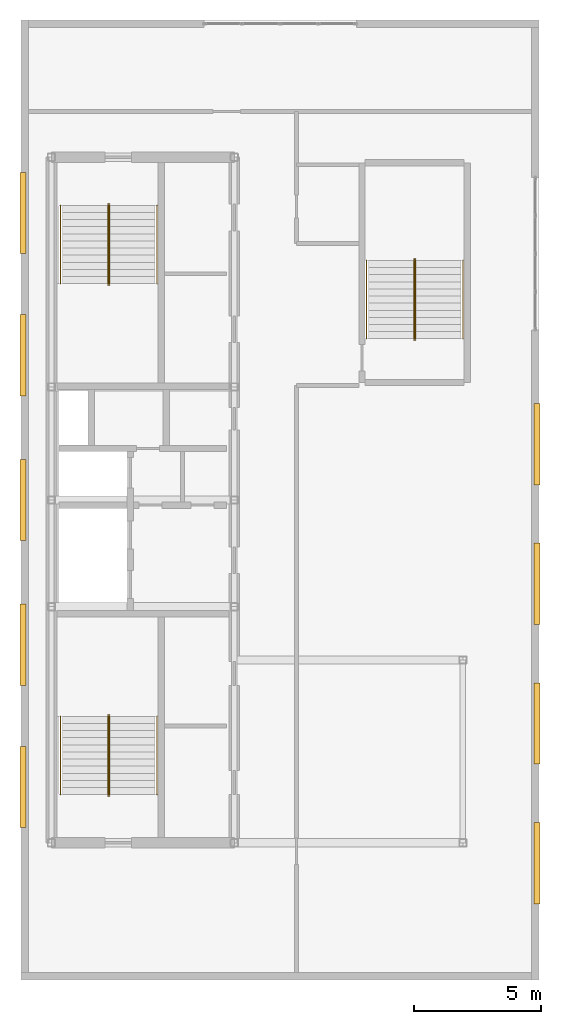
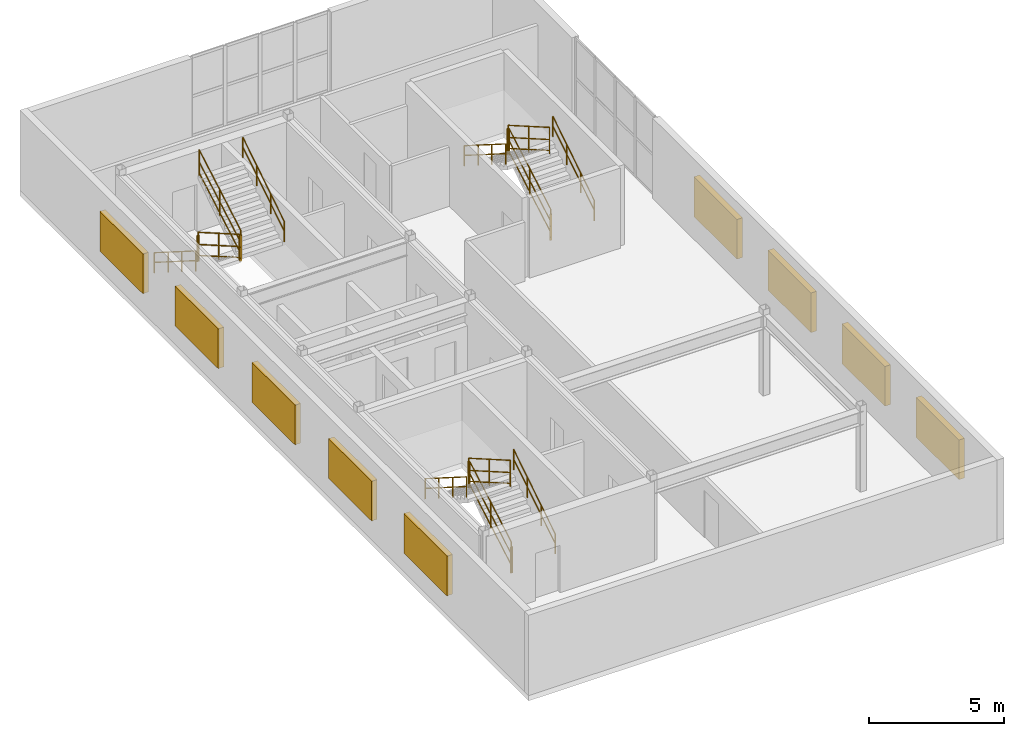
# One storey, part 6 of 6: 18 railings, 9 shading devices.
"""IFC4 building model written with IfcOpenShell, lengths in metres."""

from ifc_helpers import new_model, entity, si_unit, converted_unit, direction, frame, origin_with_axes, origin_2d_with_axis, place, context, subcontext, project, spatial, rectangle, circle, extrude, material, type_object, element, save


model = new_model("IFC4")

# Units and contexts
model_context = context("Model", 3, precision=1e-05, world=origin_with_axes(), true_north=direction((0.0, 1.0)))
body_context = subcontext(model_context, "Body", "Model", "MODEL_VIEW")
ifc_project = project(units=[si_unit("LENGTHUNIT", "METRE"), si_unit("AREAUNIT", "SQUARE_METRE"), si_unit("VOLUMEUNIT", "CUBIC_METRE"), converted_unit("PLANEANGLEUNIT", "DEGREE", entity("IfcPlaneAngleMeasure", 0.017453292519943295), si_unit("PLANEANGLEUNIT", "RADIAN"), dimensions=[0, 0, 0, 0, 0, 0, 0]), si_unit("MASSUNIT", "GRAM", prefix="KILO"), si_unit("THERMODYNAMICTEMPERATUREUNIT", "KELVIN")], contexts=[model_context])

# Site, building, storey
site_placement = place(None, origin_with_axes())
site = spatial("IfcSite", under=ifc_project, at=site_placement, CompositionType="ELEMENT")
building_placement = place(site_placement, origin_with_axes())
building = spatial("IfcBuilding", under=site, at=building_placement, Name="Varnlund Millrace Tower", CompositionType="ELEMENT")
storey_placement = place(building_placement, frame((0.0, 0.0, 324.3), z_axis=(0.0, 0.0, 1.0), x_axis=(1.0, 0.0, 0.0)))
storey = spatial("IfcBuildingStorey", under=building, at=storey_placement, Name="L80", CompositionType="ELEMENT", Elevation=324.3)

# Shading devices
ifc_material_1 = material(Name="Architectural bronze cold-climate intake louvre", Category="aluminium")
shading_device_type = type_object("IfcShadingDeviceType", Name="Type-Shade-CrownLouvre-JAL", PredefinedType="JALOUSIE", material=ifc_material_1)
for number, where, z_axis, x_axis, name in (
    (1, (10.28, 13.0, 0.9), (0.0, 0.0, 1.0), (0.0, 1.0, 0.0), "Type-Shade-CrownLouvre-JAL"),
    (2, (10.28, 18.6, 0.9), (0.0, 0.0, 1.0), (0.0, 1.0, 0.0), "Type-Shade-CrownLouvre-JAL"),
    (3, (10.28, 24.3, 0.9), (0.0, 0.0, 1.0), (0.0, 1.0, 0.0), "Type-Shade-CrownLouvre-JAL"),
    (4, (10.28, 30.0, 0.9), (0.0, 0.0, 1.0), (0.0, 1.0, 0.0), "Type-Shade-CrownLouvre-JAL"),
    (5, (10.28, 35.6, 0.9), (0.0, 0.0, 1.0), (0.0, 1.0, 0.0), "Type-Shade-CrownLouvre-JAL"),
    (6, (30.52, 10.0, 0.9), (0.0, 0.0, 1.0), (0.0, 1.0, 0.0), "Type-Shade-CrownLouvre-JAL"),
    (7, (30.52, 15.5, 0.9), (0.0, 0.0, 1.0), (0.0, 1.0, 0.0), "Type-Shade-CrownLouvre-JAL"),
    (8, (30.52, 21.0, 0.9), (0.0, 0.0, 1.0), (0.0, 1.0, 0.0), "Type-Shade-CrownLouvre-JAL"),
    (9, (30.52, 26.5, 0.9), (0.0, 0.0, 1.0), (0.0, 1.0, 0.0), "Type-Shade-CrownLouvre-JAL"),
):
    element("IfcShadingDevice", number, at=place(storey_placement, frame(where, z_axis=z_axis, x_axis=x_axis)), inside=storey, type_object=shading_device_type, Name=name, PredefinedType="JALOUSIE", context=body_context, shape_type="SweptSolid", body=[
        extrude(rectangle(XDim=3.2, YDim=0.24, at=origin_2d_with_axis()), origin_with_axes(), (0.0, 0.0, 1.0), 1.8),
    ])

# Railings
ifc_material_2 = material(Name="Painted steel stair well balustrade guard", Category="steel")
railing_type_1 = type_object("IfcRailingType", Name="Type-StairGuard-1150", PredefinedType="GUARDRAIL", material=ifc_material_2)
railing_1_placement = place(storey_placement, frame((0.0, 0.0, -324.3), z_axis=(0.0, 0.0, 1.0), x_axis=(1.0, 0.0, 0.0)))
element("IfcRailing", 10, at=railing_1_placement, inside=storey, type_object=railing_type_1, Name="Type-StairGuard-1150", PredefinedType="GUARDRAIL", context=body_context, shape_type="SweptSolid", body=[
    extrude(circle(Radius=0.024, at=origin_2d_with_axis()), frame((13.675, 12.7, 325.627273), z_axis=(0.0, 0.866696, 0.498836), x_axis=(-1.0, 0.0, 0.0)), (0.0, 0.0, 1.0), 3.553725),
    extrude(circle(Radius=0.024, at=origin_2d_with_axis()), frame((13.675, 12.7, 324.577273), z_axis=(0.0, 0.866696, 0.498836), x_axis=(-1.0, 0.0, 0.0)), (0.0, 0.0, 1.0), 3.553725),
    extrude(circle(Radius=0.024, at=origin_2d_with_axis()), frame((13.675, 12.7, 325.075273), z_axis=(0.0, 0.866696, 0.498836), x_axis=(-1.0, 0.0, 0.0)), (0.0, 0.0, 1.0), 3.553725),
    extrude(rectangle(XDim=0.04, YDim=0.04, at=origin_2d_with_axis()), frame((13.675, 12.7, 324.437273), z_axis=(0.0, 0.0, 1.0), x_axis=(1.0, 0.0, 0.0)), (0.0, 0.0, 1.0), 1.19),
    extrude(rectangle(XDim=0.04, YDim=0.04, at=origin_2d_with_axis()), frame((13.675, 14.24, 325.323636), z_axis=(0.0, 0.0, 1.0), x_axis=(1.0, 0.0, 0.0)), (0.0, 0.0, 1.0), 1.19),
    extrude(rectangle(XDim=0.04, YDim=0.04, at=origin_2d_with_axis()), frame((13.675, 15.78, 326.21), z_axis=(0.0, 0.0, 1.0), x_axis=(1.0, 0.0, 0.0)), (0.0, 0.0, 1.0), 1.19),
])
railing_2_placement = place(storey_placement, frame((0.0, 0.0, -324.3), z_axis=(0.0, 0.0, 1.0), x_axis=(1.0, 0.0, 0.0)))
element("IfcRailing", 11, at=railing_2_placement, inside=storey, type_object=railing_type_1, Name="Type-StairGuard-1150", PredefinedType="GUARDRAIL", context=body_context, shape_type="SweptSolid", body=[
    extrude(circle(Radius=0.024, at=origin_2d_with_axis()), frame((13.625, 15.83, 327.4), z_axis=(1.0, 0.0, 0.0), x_axis=(0.0, 1.0, 0.0)), (0.0, 0.0, 1.0), 0.05),
    extrude(circle(Radius=0.024, at=origin_2d_with_axis()), frame((13.625, 15.83, 326.35), z_axis=(1.0, 0.0, 0.0), x_axis=(0.0, 1.0, 0.0)), (0.0, 0.0, 1.0), 0.05),
    extrude(circle(Radius=0.024, at=origin_2d_with_axis()), frame((13.625, 15.83, 326.848), z_axis=(1.0, 0.0, 0.0), x_axis=(0.0, 1.0, 0.0)), (0.0, 0.0, 1.0), 0.05),
    extrude(rectangle(XDim=0.04, YDim=0.04, at=origin_2d_with_axis()), frame((13.625, 15.83, 326.21), z_axis=(0.0, 0.0, 1.0), x_axis=(1.0, 0.0, 0.0)), (0.0, 0.0, 1.0), 1.19),
    extrude(rectangle(XDim=0.04, YDim=0.04, at=origin_2d_with_axis()), frame((13.675, 15.83, 326.21), z_axis=(0.0, 0.0, 1.0), x_axis=(1.0, 0.0, 0.0)), (0.0, 0.0, 1.0), 1.19),
])
railing_3_placement = place(storey_placement, frame((0.0, 0.0, -324.3), z_axis=(0.0, 0.0, 1.0), x_axis=(1.0, 0.0, 0.0)))
element("IfcRailing", 12, at=railing_3_placement, inside=storey, type_object=railing_type_1, Name="Type-StairGuard-1150", PredefinedType="GUARDRAIL", context=body_context, shape_type="SweptSolid", body=[
    extrude(circle(Radius=0.024, at=origin_2d_with_axis()), frame((13.625, 15.78, 327.577273), z_axis=(0.0, -0.866696, 0.498836), x_axis=(1.0, 0.0, 0.0)), (0.0, 0.0, 1.0), 3.553725),
    extrude(circle(Radius=0.024, at=origin_2d_with_axis()), frame((13.625, 15.78, 326.527273), z_axis=(0.0, -0.866696, 0.498836), x_axis=(1.0, 0.0, 0.0)), (0.0, 0.0, 1.0), 3.553725),
    extrude(circle(Radius=0.024, at=origin_2d_with_axis()), frame((13.625, 15.78, 327.025273), z_axis=(0.0, -0.866696, 0.498836), x_axis=(1.0, 0.0, 0.0)), (0.0, 0.0, 1.0), 3.553725),
    extrude(rectangle(XDim=0.04, YDim=0.04, at=origin_2d_with_axis()), frame((13.625, 15.78, 326.387273), z_axis=(0.0, 0.0, 1.0), x_axis=(1.0, 0.0, 0.0)), (0.0, 0.0, 1.0), 1.19),
    extrude(rectangle(XDim=0.04, YDim=0.04, at=origin_2d_with_axis()), frame((13.625, 14.24, 327.273636), z_axis=(0.0, 0.0, 1.0), x_axis=(1.0, 0.0, 0.0)), (0.0, 0.0, 1.0), 1.19),
    extrude(rectangle(XDim=0.04, YDim=0.04, at=origin_2d_with_axis()), frame((13.625, 12.7, 328.16), z_axis=(0.0, 0.0, 1.0), x_axis=(1.0, 0.0, 0.0)), (0.0, 0.0, 1.0), 1.19),
])
railing_4_placement = place(storey_placement, frame((0.0, 0.0, -324.3), z_axis=(0.0, 0.0, 1.0), x_axis=(1.0, 0.0, 0.0)))
element("IfcRailing", 13, at=railing_4_placement, inside=storey, type_object=railing_type_1, Name="Type-StairGuard-1150", PredefinedType="GUARDRAIL", context=body_context, shape_type="SweptSolid", body=[
    extrude(circle(Radius=0.024, at=origin_2d_with_axis()), frame((13.625, 12.65, 325.45), z_axis=(1.0, 0.0, 0.0), x_axis=(0.0, 1.0, 0.0)), (0.0, 0.0, 1.0), 0.05),
    extrude(circle(Radius=0.024, at=origin_2d_with_axis()), frame((13.625, 12.65, 324.4), z_axis=(1.0, 0.0, 0.0), x_axis=(0.0, 1.0, 0.0)), (0.0, 0.0, 1.0), 0.05),
    extrude(circle(Radius=0.024, at=origin_2d_with_axis()), frame((13.625, 12.65, 324.898), z_axis=(1.0, 0.0, 0.0), x_axis=(0.0, 1.0, 0.0)), (0.0, 0.0, 1.0), 0.05),
    extrude(rectangle(XDim=0.04, YDim=0.04, at=origin_2d_with_axis()), frame((13.625, 12.65, 324.26), z_axis=(0.0, 0.0, 1.0), x_axis=(1.0, 0.0, 0.0)), (0.0, 0.0, 1.0), 1.19),
    extrude(rectangle(XDim=0.04, YDim=0.04, at=origin_2d_with_axis()), frame((13.675, 12.65, 324.26), z_axis=(0.0, 0.0, 1.0), x_axis=(1.0, 0.0, 0.0)), (0.0, 0.0, 1.0), 1.19),
])
railing_5_placement = place(storey_placement, frame((0.0, 0.0, -324.3), z_axis=(0.0, 0.0, 1.0), x_axis=(1.0, 0.0, 0.0)))
element("IfcRailing", 14, at=railing_5_placement, inside=storey, type_object=railing_type_1, Name="Type-StairGuard-1150", PredefinedType="GUARDRAIL", context=body_context, shape_type="SweptSolid", body=[
    extrude(circle(Radius=0.024, at=origin_2d_with_axis()), frame((13.625, 35.9, 325.627273), z_axis=(0.0, -0.866696, 0.498836), x_axis=(1.0, 0.0, 0.0)), (0.0, 0.0, 1.0), 3.553725),
    extrude(circle(Radius=0.024, at=origin_2d_with_axis()), frame((13.625, 35.9, 324.577273), z_axis=(0.0, -0.866696, 0.498836), x_axis=(1.0, 0.0, 0.0)), (0.0, 0.0, 1.0), 3.553725),
    extrude(circle(Radius=0.024, at=origin_2d_with_axis()), frame((13.625, 35.9, 325.075273), z_axis=(0.0, -0.866696, 0.498836), x_axis=(1.0, 0.0, 0.0)), (0.0, 0.0, 1.0), 3.553725),
    extrude(rectangle(XDim=0.04, YDim=0.04, at=origin_2d_with_axis()), frame((13.625, 35.9, 324.437273), z_axis=(0.0, 0.0, 1.0), x_axis=(1.0, 0.0, 0.0)), (0.0, 0.0, 1.0), 1.19),
    extrude(rectangle(XDim=0.04, YDim=0.04, at=origin_2d_with_axis()), frame((13.625, 34.36, 325.323636), z_axis=(0.0, 0.0, 1.0), x_axis=(1.0, 0.0, 0.0)), (0.0, 0.0, 1.0), 1.19),
    extrude(rectangle(XDim=0.04, YDim=0.04, at=origin_2d_with_axis()), frame((13.625, 32.82, 326.21), z_axis=(0.0, 0.0, 1.0), x_axis=(1.0, 0.0, 0.0)), (0.0, 0.0, 1.0), 1.19),
])
railing_6_placement = place(storey_placement, frame((0.0, 0.0, -324.3), z_axis=(0.0, 0.0, 1.0), x_axis=(1.0, 0.0, 0.0)))
element("IfcRailing", 15, at=railing_6_placement, inside=storey, type_object=railing_type_1, Name="Type-StairGuard-1150", PredefinedType="GUARDRAIL", context=body_context, shape_type="SweptSolid", body=[
    extrude(circle(Radius=0.024, at=origin_2d_with_axis()), frame((13.675, 32.77, 327.4), z_axis=(-1.0, 0.0, 0.0), x_axis=(0.0, -1.0, 0.0)), (0.0, 0.0, 1.0), 0.05),
    extrude(circle(Radius=0.024, at=origin_2d_with_axis()), frame((13.675, 32.77, 326.35), z_axis=(-1.0, 0.0, 0.0), x_axis=(0.0, -1.0, 0.0)), (0.0, 0.0, 1.0), 0.05),
    extrude(circle(Radius=0.024, at=origin_2d_with_axis()), frame((13.675, 32.77, 326.848), z_axis=(-1.0, 0.0, 0.0), x_axis=(0.0, -1.0, 0.0)), (0.0, 0.0, 1.0), 0.05),
    extrude(rectangle(XDim=0.04, YDim=0.04, at=origin_2d_with_axis()), frame((13.675, 32.77, 326.21), z_axis=(0.0, 0.0, 1.0), x_axis=(1.0, 0.0, 0.0)), (0.0, 0.0, 1.0), 1.19),
    extrude(rectangle(XDim=0.04, YDim=0.04, at=origin_2d_with_axis()), frame((13.625, 32.77, 326.21), z_axis=(0.0, 0.0, 1.0), x_axis=(1.0, 0.0, 0.0)), (0.0, 0.0, 1.0), 1.19),
])
railing_7_placement = place(storey_placement, frame((0.0, 0.0, -324.3), z_axis=(0.0, 0.0, 1.0), x_axis=(1.0, 0.0, 0.0)))
element("IfcRailing", 16, at=railing_7_placement, inside=storey, type_object=railing_type_1, Name="Type-StairGuard-1150", PredefinedType="GUARDRAIL", context=body_context, shape_type="SweptSolid", body=[
    extrude(circle(Radius=0.024, at=origin_2d_with_axis()), frame((13.675, 32.82, 327.577273), z_axis=(0.0, 0.866696, 0.498836), x_axis=(-1.0, 0.0, 0.0)), (0.0, 0.0, 1.0), 3.553725),
    extrude(circle(Radius=0.024, at=origin_2d_with_axis()), frame((13.675, 32.82, 326.527273), z_axis=(0.0, 0.866696, 0.498836), x_axis=(-1.0, 0.0, 0.0)), (0.0, 0.0, 1.0), 3.553725),
    extrude(circle(Radius=0.024, at=origin_2d_with_axis()), frame((13.675, 32.82, 327.025273), z_axis=(0.0, 0.866696, 0.498836), x_axis=(-1.0, 0.0, 0.0)), (0.0, 0.0, 1.0), 3.553725),
    extrude(rectangle(XDim=0.04, YDim=0.04, at=origin_2d_with_axis()), frame((13.675, 32.82, 326.387273), z_axis=(0.0, 0.0, 1.0), x_axis=(1.0, 0.0, 0.0)), (0.0, 0.0, 1.0), 1.19),
    extrude(rectangle(XDim=0.04, YDim=0.04, at=origin_2d_with_axis()), frame((13.675, 34.36, 327.273636), z_axis=(0.0, 0.0, 1.0), x_axis=(1.0, 0.0, 0.0)), (0.0, 0.0, 1.0), 1.19),
    extrude(rectangle(XDim=0.04, YDim=0.04, at=origin_2d_with_axis()), frame((13.675, 35.9, 328.16), z_axis=(0.0, 0.0, 1.0), x_axis=(1.0, 0.0, 0.0)), (0.0, 0.0, 1.0), 1.19),
])
railing_8_placement = place(storey_placement, frame((0.0, 0.0, -324.3), z_axis=(0.0, 0.0, 1.0), x_axis=(1.0, 0.0, 0.0)))
element("IfcRailing", 17, at=railing_8_placement, inside=storey, type_object=railing_type_1, Name="Type-StairGuard-1150", PredefinedType="GUARDRAIL", context=body_context, shape_type="SweptSolid", body=[
    extrude(circle(Radius=0.024, at=origin_2d_with_axis()), frame((13.675, 35.95, 325.45), z_axis=(-1.0, 0.0, 0.0), x_axis=(0.0, -1.0, 0.0)), (0.0, 0.0, 1.0), 0.05),
    extrude(circle(Radius=0.024, at=origin_2d_with_axis()), frame((13.675, 35.95, 324.4), z_axis=(-1.0, 0.0, 0.0), x_axis=(0.0, -1.0, 0.0)), (0.0, 0.0, 1.0), 0.05),
    extrude(circle(Radius=0.024, at=origin_2d_with_axis()), frame((13.675, 35.95, 324.898), z_axis=(-1.0, 0.0, 0.0), x_axis=(0.0, -1.0, 0.0)), (0.0, 0.0, 1.0), 0.05),
    extrude(rectangle(XDim=0.04, YDim=0.04, at=origin_2d_with_axis()), frame((13.675, 35.95, 324.26), z_axis=(0.0, 0.0, 1.0), x_axis=(1.0, 0.0, 0.0)), (0.0, 0.0, 1.0), 1.19),
    extrude(rectangle(XDim=0.04, YDim=0.04, at=origin_2d_with_axis()), frame((13.625, 35.95, 324.26), z_axis=(0.0, 0.0, 1.0), x_axis=(1.0, 0.0, 0.0)), (0.0, 0.0, 1.0), 1.19),
])
railing_9_placement = place(storey_placement, frame((0.0, 0.0, -324.3), z_axis=(0.0, 0.0, 1.0), x_axis=(1.0, 0.0, 0.0)))
element("IfcRailing", 18, at=railing_9_placement, inside=storey, type_object=railing_type_1, Name="Type-StairGuard-1150", PredefinedType="GUARDRAIL", context=body_context, shape_type="SweptSolid", body=[
    extrude(circle(Radius=0.024, at=origin_2d_with_axis()), frame((25.725, 30.65, 325.627273), z_axis=(0.0, 0.866696, 0.498836), x_axis=(-1.0, 0.0, 0.0)), (0.0, 0.0, 1.0), 3.553725),
    extrude(circle(Radius=0.024, at=origin_2d_with_axis()), frame((25.725, 30.65, 324.577273), z_axis=(0.0, 0.866696, 0.498836), x_axis=(-1.0, 0.0, 0.0)), (0.0, 0.0, 1.0), 3.553725),
    extrude(circle(Radius=0.024, at=origin_2d_with_axis()), frame((25.725, 30.65, 325.075273), z_axis=(0.0, 0.866696, 0.498836), x_axis=(-1.0, 0.0, 0.0)), (0.0, 0.0, 1.0), 3.553725),
    extrude(rectangle(XDim=0.04, YDim=0.04, at=origin_2d_with_axis()), frame((25.725, 30.65, 324.437273), z_axis=(0.0, 0.0, 1.0), x_axis=(1.0, 0.0, 0.0)), (0.0, 0.0, 1.0), 1.19),
    extrude(rectangle(XDim=0.04, YDim=0.04, at=origin_2d_with_axis()), frame((25.725, 32.19, 325.323636), z_axis=(0.0, 0.0, 1.0), x_axis=(1.0, 0.0, 0.0)), (0.0, 0.0, 1.0), 1.19),
    extrude(rectangle(XDim=0.04, YDim=0.04, at=origin_2d_with_axis()), frame((25.725, 33.73, 326.21), z_axis=(0.0, 0.0, 1.0), x_axis=(1.0, 0.0, 0.0)), (0.0, 0.0, 1.0), 1.19),
])
railing_10_placement = place(storey_placement, frame((0.0, 0.0, -324.3), z_axis=(0.0, 0.0, 1.0), x_axis=(1.0, 0.0, 0.0)))
element("IfcRailing", 19, at=railing_10_placement, inside=storey, type_object=railing_type_1, Name="Type-StairGuard-1150", PredefinedType="GUARDRAIL", context=body_context, shape_type="SweptSolid", body=[
    extrude(circle(Radius=0.024, at=origin_2d_with_axis()), frame((25.675, 33.78, 327.4), z_axis=(1.0, 0.0, 0.0), x_axis=(0.0, 1.0, 0.0)), (0.0, 0.0, 1.0), 0.05),
    extrude(circle(Radius=0.024, at=origin_2d_with_axis()), frame((25.675, 33.78, 326.35), z_axis=(1.0, 0.0, 0.0), x_axis=(0.0, 1.0, 0.0)), (0.0, 0.0, 1.0), 0.05),
    extrude(circle(Radius=0.024, at=origin_2d_with_axis()), frame((25.675, 33.78, 326.848), z_axis=(1.0, 0.0, 0.0), x_axis=(0.0, 1.0, 0.0)), (0.0, 0.0, 1.0), 0.05),
    extrude(rectangle(XDim=0.04, YDim=0.04, at=origin_2d_with_axis()), frame((25.675, 33.78, 326.21), z_axis=(0.0, 0.0, 1.0), x_axis=(1.0, 0.0, 0.0)), (0.0, 0.0, 1.0), 1.19),
    extrude(rectangle(XDim=0.04, YDim=0.04, at=origin_2d_with_axis()), frame((25.725, 33.78, 326.21), z_axis=(0.0, 0.0, 1.0), x_axis=(1.0, 0.0, 0.0)), (0.0, 0.0, 1.0), 1.19),
])
railing_11_placement = place(storey_placement, frame((0.0, 0.0, -324.3), z_axis=(0.0, 0.0, 1.0), x_axis=(1.0, 0.0, 0.0)))
element("IfcRailing", 20, at=railing_11_placement, inside=storey, type_object=railing_type_1, Name="Type-StairGuard-1150", PredefinedType="GUARDRAIL", context=body_context, shape_type="SweptSolid", body=[
    extrude(circle(Radius=0.024, at=origin_2d_with_axis()), frame((25.675, 33.73, 327.577273), z_axis=(0.0, -0.866696, 0.498836), x_axis=(1.0, 0.0, 0.0)), (0.0, 0.0, 1.0), 3.553725),
    extrude(circle(Radius=0.024, at=origin_2d_with_axis()), frame((25.675, 33.73, 326.527273), z_axis=(0.0, -0.866696, 0.498836), x_axis=(1.0, 0.0, 0.0)), (0.0, 0.0, 1.0), 3.553725),
    extrude(circle(Radius=0.024, at=origin_2d_with_axis()), frame((25.675, 33.73, 327.025273), z_axis=(0.0, -0.866696, 0.498836), x_axis=(1.0, 0.0, 0.0)), (0.0, 0.0, 1.0), 3.553725),
    extrude(rectangle(XDim=0.04, YDim=0.04, at=origin_2d_with_axis()), frame((25.675, 33.73, 326.387273), z_axis=(0.0, 0.0, 1.0), x_axis=(1.0, 0.0, 0.0)), (0.0, 0.0, 1.0), 1.19),
    extrude(rectangle(XDim=0.04, YDim=0.04, at=origin_2d_with_axis()), frame((25.675, 32.19, 327.273636), z_axis=(0.0, 0.0, 1.0), x_axis=(1.0, 0.0, 0.0)), (0.0, 0.0, 1.0), 1.19),
    extrude(rectangle(XDim=0.04, YDim=0.04, at=origin_2d_with_axis()), frame((25.675, 30.65, 328.16), z_axis=(0.0, 0.0, 1.0), x_axis=(1.0, 0.0, 0.0)), (0.0, 0.0, 1.0), 1.19),
])
railing_12_placement = place(storey_placement, frame((0.0, 0.0, -324.3), z_axis=(0.0, 0.0, 1.0), x_axis=(1.0, 0.0, 0.0)))
element("IfcRailing", 21, at=railing_12_placement, inside=storey, type_object=railing_type_1, Name="Type-StairGuard-1150", PredefinedType="GUARDRAIL", context=body_context, shape_type="SweptSolid", body=[
    extrude(circle(Radius=0.024, at=origin_2d_with_axis()), frame((25.675, 30.6, 325.45), z_axis=(1.0, 0.0, 0.0), x_axis=(0.0, 1.0, 0.0)), (0.0, 0.0, 1.0), 0.05),
    extrude(circle(Radius=0.024, at=origin_2d_with_axis()), frame((25.675, 30.6, 324.4), z_axis=(1.0, 0.0, 0.0), x_axis=(0.0, 1.0, 0.0)), (0.0, 0.0, 1.0), 0.05),
    extrude(circle(Radius=0.024, at=origin_2d_with_axis()), frame((25.675, 30.6, 324.898), z_axis=(1.0, 0.0, 0.0), x_axis=(0.0, 1.0, 0.0)), (0.0, 0.0, 1.0), 0.05),
    extrude(rectangle(XDim=0.04, YDim=0.04, at=origin_2d_with_axis()), frame((25.675, 30.6, 324.26), z_axis=(0.0, 0.0, 1.0), x_axis=(1.0, 0.0, 0.0)), (0.0, 0.0, 1.0), 1.19),
    extrude(rectangle(XDim=0.04, YDim=0.04, at=origin_2d_with_axis()), frame((25.725, 30.6, 324.26), z_axis=(0.0, 0.0, 1.0), x_axis=(1.0, 0.0, 0.0)), (0.0, 0.0, 1.0), 1.19),
])
ifc_material_3 = material(Name="Brushed architectural bronze stair handrail", Category="aluminium")
railing_type_2 = type_object("IfcRailingType", Name="Type-StairHandrail-900", PredefinedType="HANDRAIL", material=ifc_material_3)
railing_13_placement = place(storey_placement, frame((0.0, 0.0, -324.3), z_axis=(0.0, 0.0, 1.0), x_axis=(1.0, 0.0, 0.0)))
element("IfcRailing", 22, at=railing_13_placement, inside=storey, type_object=railing_type_2, Name="Type-StairHandrail-900", PredefinedType="HANDRAIL", context=body_context, shape_type="SweptSolid", body=[
    extrude(circle(Radius=0.024, at=origin_2d_with_axis()), frame((15.55, 12.7, 325.356995), z_axis=(0.0, 0.844902, 0.534922), x_axis=(-1.0, 0.0, 0.0)), (0.0, 0.0, 1.0), 3.645394),
    extrude(circle(Radius=0.024, at=origin_2d_with_axis()), frame((15.55, 12.7, 324.917134), z_axis=(0.0, 0.844902, 0.534922), x_axis=(-1.0, 0.0, 0.0)), (0.0, 0.0, 1.0), 3.645394),
    extrude(rectangle(XDim=0.04, YDim=0.04, at=origin_2d_with_axis()), frame((15.55, 12.7, 324.437273), z_axis=(0.0, 0.0, 1.0), x_axis=(1.0, 0.0, 0.0)), (0.0, 0.0, 1.0), 0.919722),
    extrude(rectangle(XDim=0.04, YDim=0.04, at=origin_2d_with_axis()), frame((15.55, 13.726667, 325.087273), z_axis=(0.0, 0.0, 1.0), x_axis=(1.0, 0.0, 0.0)), (0.0, 0.0, 1.0), 0.919722),
    extrude(rectangle(XDim=0.04, YDim=0.04, at=origin_2d_with_axis()), frame((15.55, 14.753333, 325.737273), z_axis=(0.0, 0.0, 1.0), x_axis=(1.0, 0.0, 0.0)), (0.0, 0.0, 1.0), 0.919722),
    extrude(rectangle(XDim=0.04, YDim=0.04, at=origin_2d_with_axis()), frame((15.55, 15.78, 326.387273), z_axis=(0.0, 0.0, 1.0), x_axis=(1.0, 0.0, 0.0)), (0.0, 0.0, 1.0), 0.919722),
])
railing_14_placement = place(storey_placement, frame((0.0, 0.0, -324.3), z_axis=(0.0, 0.0, 1.0), x_axis=(1.0, 0.0, 0.0)))
element("IfcRailing", 23, at=railing_14_placement, inside=storey, type_object=railing_type_2, Name="Type-StairHandrail-900", PredefinedType="HANDRAIL", context=body_context, shape_type="SweptSolid", body=[
    extrude(circle(Radius=0.024, at=origin_2d_with_axis()), frame((11.75, 15.78, 327.306995), z_axis=(0.0, -0.844902, 0.534922), x_axis=(1.0, 0.0, 0.0)), (0.0, 0.0, 1.0), 3.645394),
    extrude(circle(Radius=0.024, at=origin_2d_with_axis()), frame((11.75, 15.78, 326.867134), z_axis=(0.0, -0.844902, 0.534922), x_axis=(1.0, 0.0, 0.0)), (0.0, 0.0, 1.0), 3.645394),
    extrude(rectangle(XDim=0.04, YDim=0.04, at=origin_2d_with_axis()), frame((11.75, 15.78, 326.387273), z_axis=(0.0, 0.0, 1.0), x_axis=(1.0, 0.0, 0.0)), (0.0, 0.0, 1.0), 0.919722),
    extrude(rectangle(XDim=0.04, YDim=0.04, at=origin_2d_with_axis()), frame((11.75, 14.753333, 327.037273), z_axis=(0.0, 0.0, 1.0), x_axis=(1.0, 0.0, 0.0)), (0.0, 0.0, 1.0), 0.919722),
    extrude(rectangle(XDim=0.04, YDim=0.04, at=origin_2d_with_axis()), frame((11.75, 13.726667, 327.687273), z_axis=(0.0, 0.0, 1.0), x_axis=(1.0, 0.0, 0.0)), (0.0, 0.0, 1.0), 0.919722),
    extrude(rectangle(XDim=0.04, YDim=0.04, at=origin_2d_with_axis()), frame((11.75, 12.7, 328.337273), z_axis=(0.0, 0.0, 1.0), x_axis=(1.0, 0.0, 0.0)), (0.0, 0.0, 1.0), 0.919722),
])
railing_15_placement = place(storey_placement, frame((0.0, 0.0, -324.3), z_axis=(0.0, 0.0, 1.0), x_axis=(1.0, 0.0, 0.0)))
element("IfcRailing", 24, at=railing_15_placement, inside=storey, type_object=railing_type_2, Name="Type-StairHandrail-900", PredefinedType="HANDRAIL", context=body_context, shape_type="SweptSolid", body=[
    extrude(circle(Radius=0.024, at=origin_2d_with_axis()), frame((11.75, 35.9, 325.356995), z_axis=(0.0, -0.844902, 0.534922), x_axis=(1.0, 0.0, 0.0)), (0.0, 0.0, 1.0), 3.645394),
    extrude(circle(Radius=0.024, at=origin_2d_with_axis()), frame((11.75, 35.9, 324.917134), z_axis=(0.0, -0.844902, 0.534922), x_axis=(1.0, 0.0, 0.0)), (0.0, 0.0, 1.0), 3.645394),
    extrude(rectangle(XDim=0.04, YDim=0.04, at=origin_2d_with_axis()), frame((11.75, 35.9, 324.437273), z_axis=(0.0, 0.0, 1.0), x_axis=(1.0, 0.0, 0.0)), (0.0, 0.0, 1.0), 0.919722),
    extrude(rectangle(XDim=0.04, YDim=0.04, at=origin_2d_with_axis()), frame((11.75, 34.873333, 325.087273), z_axis=(0.0, 0.0, 1.0), x_axis=(1.0, 0.0, 0.0)), (0.0, 0.0, 1.0), 0.919722),
    extrude(rectangle(XDim=0.04, YDim=0.04, at=origin_2d_with_axis()), frame((11.75, 33.846667, 325.737273), z_axis=(0.0, 0.0, 1.0), x_axis=(1.0, 0.0, 0.0)), (0.0, 0.0, 1.0), 0.919722),
    extrude(rectangle(XDim=0.04, YDim=0.04, at=origin_2d_with_axis()), frame((11.75, 32.82, 326.387273), z_axis=(0.0, 0.0, 1.0), x_axis=(1.0, 0.0, 0.0)), (0.0, 0.0, 1.0), 0.919722),
])
railing_16_placement = place(storey_placement, frame((0.0, 0.0, -324.3), z_axis=(0.0, 0.0, 1.0), x_axis=(1.0, 0.0, 0.0)))
element("IfcRailing", 25, at=railing_16_placement, inside=storey, type_object=railing_type_2, Name="Type-StairHandrail-900", PredefinedType="HANDRAIL", context=body_context, shape_type="SweptSolid", body=[
    extrude(circle(Radius=0.024, at=origin_2d_with_axis()), frame((15.55, 32.82, 327.306995), z_axis=(0.0, 0.844902, 0.534922), x_axis=(-1.0, 0.0, 0.0)), (0.0, 0.0, 1.0), 3.645394),
    extrude(circle(Radius=0.024, at=origin_2d_with_axis()), frame((15.55, 32.82, 326.867134), z_axis=(0.0, 0.844902, 0.534922), x_axis=(-1.0, 0.0, 0.0)), (0.0, 0.0, 1.0), 3.645394),
    extrude(rectangle(XDim=0.04, YDim=0.04, at=origin_2d_with_axis()), frame((15.55, 32.82, 326.387273), z_axis=(0.0, 0.0, 1.0), x_axis=(1.0, 0.0, 0.0)), (0.0, 0.0, 1.0), 0.919722),
    extrude(rectangle(XDim=0.04, YDim=0.04, at=origin_2d_with_axis()), frame((15.55, 33.846667, 327.037273), z_axis=(0.0, 0.0, 1.0), x_axis=(1.0, 0.0, 0.0)), (0.0, 0.0, 1.0), 0.919722),
    extrude(rectangle(XDim=0.04, YDim=0.04, at=origin_2d_with_axis()), frame((15.55, 34.873333, 327.687273), z_axis=(0.0, 0.0, 1.0), x_axis=(1.0, 0.0, 0.0)), (0.0, 0.0, 1.0), 0.919722),
    extrude(rectangle(XDim=0.04, YDim=0.04, at=origin_2d_with_axis()), frame((15.55, 35.9, 328.337273), z_axis=(0.0, 0.0, 1.0), x_axis=(1.0, 0.0, 0.0)), (0.0, 0.0, 1.0), 0.919722),
])
railing_17_placement = place(storey_placement, frame((0.0, 0.0, -324.3), z_axis=(0.0, 0.0, 1.0), x_axis=(1.0, 0.0, 0.0)))
element("IfcRailing", 26, at=railing_17_placement, inside=storey, type_object=railing_type_2, Name="Type-StairHandrail-900", PredefinedType="HANDRAIL", context=body_context, shape_type="SweptSolid", body=[
    extrude(circle(Radius=0.024, at=origin_2d_with_axis()), frame((27.6, 30.65, 325.356995), z_axis=(0.0, 0.844902, 0.534922), x_axis=(-1.0, 0.0, 0.0)), (0.0, 0.0, 1.0), 3.645394),
    extrude(circle(Radius=0.024, at=origin_2d_with_axis()), frame((27.6, 30.65, 324.917134), z_axis=(0.0, 0.844902, 0.534922), x_axis=(-1.0, 0.0, 0.0)), (0.0, 0.0, 1.0), 3.645394),
    extrude(rectangle(XDim=0.04, YDim=0.04, at=origin_2d_with_axis()), frame((27.6, 30.65, 324.437273), z_axis=(0.0, 0.0, 1.0), x_axis=(1.0, 0.0, 0.0)), (0.0, 0.0, 1.0), 0.919722),
    extrude(rectangle(XDim=0.04, YDim=0.04, at=origin_2d_with_axis()), frame((27.6, 31.676667, 325.087273), z_axis=(0.0, 0.0, 1.0), x_axis=(1.0, 0.0, 0.0)), (0.0, 0.0, 1.0), 0.919722),
    extrude(rectangle(XDim=0.04, YDim=0.04, at=origin_2d_with_axis()), frame((27.6, 32.703333, 325.737273), z_axis=(0.0, 0.0, 1.0), x_axis=(1.0, 0.0, 0.0)), (0.0, 0.0, 1.0), 0.919722),
    extrude(rectangle(XDim=0.04, YDim=0.04, at=origin_2d_with_axis()), frame((27.6, 33.73, 326.387273), z_axis=(0.0, 0.0, 1.0), x_axis=(1.0, 0.0, 0.0)), (0.0, 0.0, 1.0), 0.919722),
])
railing_18_placement = place(storey_placement, frame((0.0, 0.0, -324.3), z_axis=(0.0, 0.0, 1.0), x_axis=(1.0, 0.0, 0.0)))
element("IfcRailing", 27, at=railing_18_placement, inside=storey, type_object=railing_type_2, Name="Type-StairHandrail-900", PredefinedType="HANDRAIL", context=body_context, shape_type="SweptSolid", body=[
    extrude(circle(Radius=0.024, at=origin_2d_with_axis()), frame((23.8, 33.73, 327.306995), z_axis=(0.0, -0.844902, 0.534922), x_axis=(1.0, 0.0, 0.0)), (0.0, 0.0, 1.0), 3.645394),
    extrude(circle(Radius=0.024, at=origin_2d_with_axis()), frame((23.8, 33.73, 326.867134), z_axis=(0.0, -0.844902, 0.534922), x_axis=(1.0, 0.0, 0.0)), (0.0, 0.0, 1.0), 3.645394),
    extrude(rectangle(XDim=0.04, YDim=0.04, at=origin_2d_with_axis()), frame((23.8, 33.73, 326.387273), z_axis=(0.0, 0.0, 1.0), x_axis=(1.0, 0.0, 0.0)), (0.0, 0.0, 1.0), 0.919722),
    extrude(rectangle(XDim=0.04, YDim=0.04, at=origin_2d_with_axis()), frame((23.8, 32.703333, 327.037273), z_axis=(0.0, 0.0, 1.0), x_axis=(1.0, 0.0, 0.0)), (0.0, 0.0, 1.0), 0.919722),
    extrude(rectangle(XDim=0.04, YDim=0.04, at=origin_2d_with_axis()), frame((23.8, 31.676667, 327.687273), z_axis=(0.0, 0.0, 1.0), x_axis=(1.0, 0.0, 0.0)), (0.0, 0.0, 1.0), 0.919722),
    extrude(rectangle(XDim=0.04, YDim=0.04, at=origin_2d_with_axis()), frame((23.8, 30.65, 328.337273), z_axis=(0.0, 0.0, 1.0), x_axis=(1.0, 0.0, 0.0)), (0.0, 0.0, 1.0), 0.919722),
])

save(model, "model.ifc")
